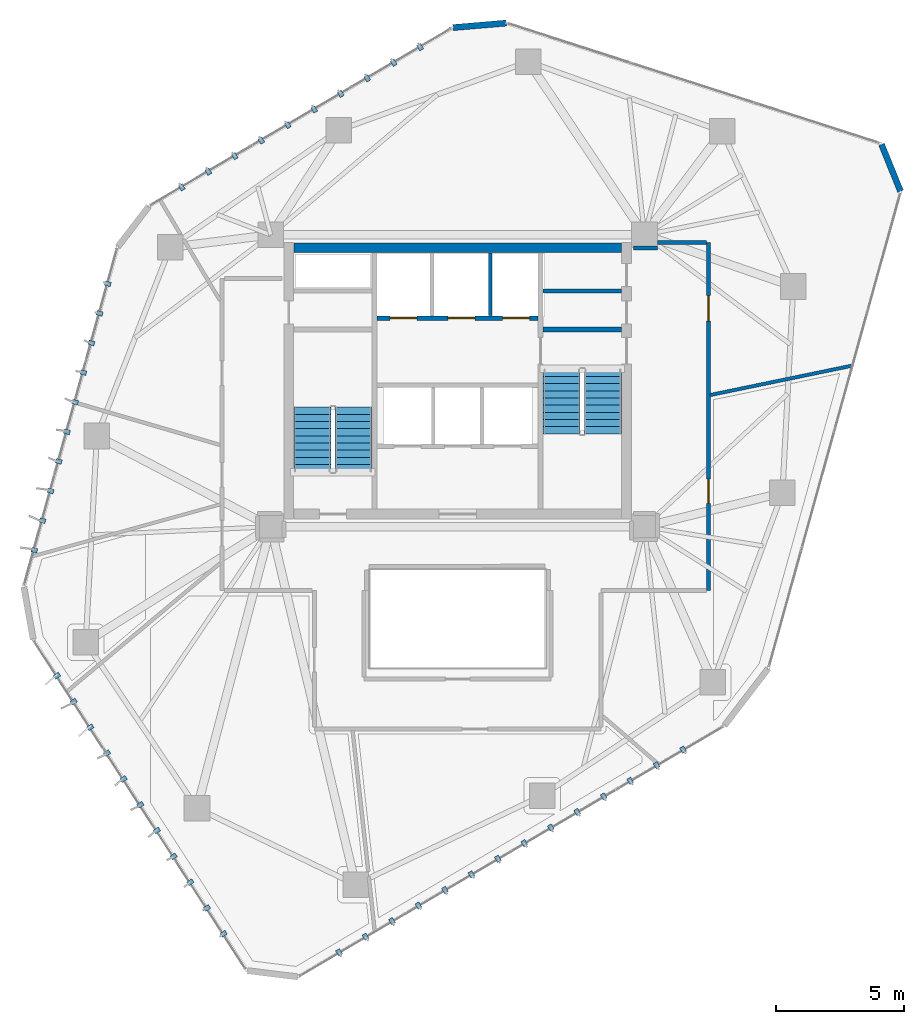
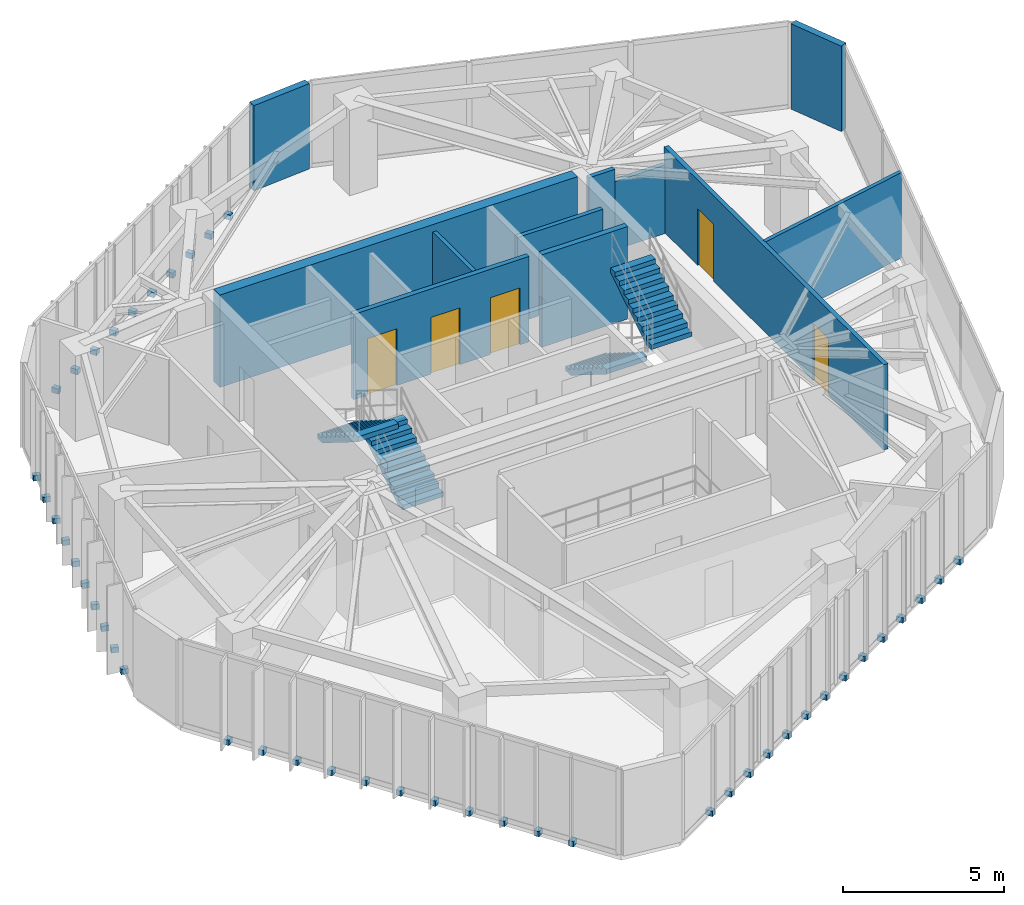
# One storey, part 17 of 19: 45 discrete accessories, 11 walls, 5 doors, 4 stair flights, 5 openings, 2 elements without a shape of their own.
"""IFC4 building model written with IfcOpenShell, lengths in metres."""

from ifc_helpers import new_model, si_unit, direction, frame, frame_2d, origin, origin_2d, place, context, subcontext, project, spatial, polyline, rectangle, outline, extrude, source, transform, mapped, material, layer, layer_set, type_object, type_shapes, element, fill, aggregate, save


model = new_model("IFC4")

# Units and contexts
model_context = context("Model", 3, precision=1e-05, world=origin(), true_north=direction((0.0, 1.0)))
body_context = subcontext(model_context, "Body", "Model", "MODEL_VIEW")
ifc_project = project(units=[si_unit("LENGTHUNIT", "METRE"), si_unit("AREAUNIT", "SQUARE_METRE"), si_unit("VOLUMEUNIT", "CUBIC_METRE"), si_unit("PLANEANGLEUNIT", "RADIAN"), si_unit("MASSUNIT", "GRAM", prefix="KILO")], contexts=[model_context])

# Site, building, storey
site_placement = place(None, origin())
site = spatial("IfcSite", under=ifc_project, at=site_placement, CompositionType="ELEMENT")
building_placement = place(site_placement, origin())
building = spatial("IfcBuilding", under=site, at=building_placement, Name="Talar Marvaseh", CompositionType="ELEMENT")
storey_placement = place(building_placement, frame((0.0, 0.0, 181.0)))
storey = spatial("IfcBuildingStorey", under=building, at=storey_placement, Name="L47", CompositionType="ELEMENT", Elevation=181.0)

# Walls
ifc_material_1 = material(Name="Precast concrete C45/55", Category="concrete")
ifc_layer_1 = layer(ifc_material_1, 0.239990234375)
ifc_layer_set_1 = layer_set([ifc_layer_1], Name="Precast concrete C45/55")
wall_type_1 = type_object("IfcWallType", Name="Chamfered Hexagonal Corner Pier Wall Z3 240", PredefinedType="SOLIDWALL", material=ifc_layer_set_1)
wall_1_placement = place(storey_placement, frame((25.818115234375, 44.998291015625, 0.0), z_axis=(0.0, 0.0, 1.0), x_axis=(0.996382650542, 0.084980078243, 0.0)))
element("IfcWall", 1, at=wall_1_placement, inside=storey, type_object=wall_type_1, Name="L47 Chamfered Corner Limestone Pier 4", PredefinedType="SOLIDWALL", context=body_context, shape_type="SweptSolid", body=[
    extrude(rectangle(XDim=2.088623046875, YDim=0.239990234375, at=frame_2d((1.04443359375, 0.0))), origin(), (0.0, 0.0, 1.0), 3.22998046875),
])
wall_2_placement = place(storey_placement, frame((42.560791015625, 40.4375, 0.0), z_axis=(0.0, 0.0, 1.0), x_axis=(0.375877020982, -0.926669555504, 0.0)))
element("IfcWall", 2, at=wall_2_placement, inside=storey, type_object=wall_type_1, Name="L47 Chamfered Corner Limestone Pier 5", PredefinedType="SOLIDWALL", context=body_context, shape_type="SweptSolid", body=[
    extrude(rectangle(XDim=1.977783203125, YDim=0.239990234375, at=frame_2d((0.98876953125, 0.0))), origin(), (0.0, 0.0, 1.0), 3.22998046875),
])
ifc_material_2 = material(Name="Gypsum Board Partition Assembly")
ifc_layer_2 = layer(ifc_material_2, 0.155029296875)
ifc_layer_set_2 = layer_set([ifc_layer_2], Name="Gypsum Board Partition Assembly")
wall_type_2 = type_object("IfcWallType", Name="Corridor Fire-Rated Acoustic Partition 155", PredefinedType="PARTITIONING", material=ifc_layer_set_2)
wall_3_placement = place(storey_placement, frame((29.340087890625, 34.699951171875, 0.0), z_axis=(0.0, 0.0, 1.0), x_axis=(1.0, 0.0, 0.0)))
element("IfcWall", 3, at=wall_3_placement, inside=storey, type_object=wall_type_2, Name="L47 Core BOH Partition", PredefinedType="PARTITIONING", context=body_context, shape_type="SweptSolid", body=[
    extrude(rectangle(XDim=3.059814453125, YDim=0.155029296875, at=frame_2d((1.52978515625, 0.0))), origin(), (0.0, 0.0, 1.0), 3.22998046875),
])

# Wall, openings, doors
wall_4_placement = place(storey_placement, frame((35.800048828125, 36.60009765625, 0.0), z_axis=(0.0, 0.0, 1.0), x_axis=(0.0, -1.0, 0.0)))
wall_4 = element("IfcWall", 4, at=wall_4_placement, inside=storey, type_object=wall_type_2, Name="L47 Interior Partition Wall", PredefinedType="PARTITIONING", context=body_context, shape_type="SweptSolid", body=[
    extrude(rectangle(XDim=13.60009765625, YDim=0.155029296875, at=frame_2d((6.800048828125, 0.0))), origin(), (0.0, 0.0, 1.0), 3.22998046875),
])
opening_1_placement = place(wall_4_placement, frame((9.24072265625, 0.0, 0.0)))
opening_1 = element("IfcOpeningElement", 5, at=opening_1_placement, cuts=wall_4, Name="Opening DR-WC095", PredefinedType="OPENING", context=body_context, shape_type="SweptSolid", body=[
    extrude(rectangle(XDim=0.949951171875, YDim=2.14990234375, at=frame_2d((0.47509765625, 1.074951171875))), frame((0.0, 0.08740234375, 0.0), z_axis=(0.0, -1.0, 0.0), x_axis=(1.0, 0.0, 0.0)), (0.0, 0.0, 1.0), 0.175048828125),
])
opening_2_placement = place(wall_4_placement, frame((2.068115234375, 0.0, 0.0)))
opening_2 = element("IfcOpeningElement", 6, at=opening_2_placement, cuts=wall_4, Name="Opening DR-RM100", PredefinedType="OPENING", context=body_context, shape_type="SweptSolid", body=[
    extrude(rectangle(XDim=1.0, YDim=2.14990234375, at=frame_2d((0.5, 1.074951171875))), frame((0.0, 0.08740234375, 0.0), z_axis=(0.0, -1.0, 0.0), x_axis=(1.0, 0.0, 0.0)), (0.0, 0.0, 1.0), 0.175048828125),
])
ifc_material_3 = material(Name="Acoustic Engineered Oak Timber", Category="wood")
door_type_1 = type_object("IfcDoorType", Name="Washroom and Service Room Door 950x2150", OperationType="NOTDEFINED", PredefinedType="DOOR", material=ifc_material_3)
shared_shape_1 = source(origin(), body_context, "Body", "SweptSolid", [
    extrude(rectangle(XDim=0.949951171875, YDim=2.14990234375, at=frame_2d((0.47509765625, 1.074951171875))), frame((0.0, 0.02490234375, 0.0), z_axis=(0.0, -1.0, 0.0), x_axis=(1.0, 0.0, 0.0)), (0.0, 0.0, 1.0), 0.050048828125),
])
type_shapes(door_type_1, [shared_shape_1])
door_1_placement = place(opening_1_placement, origin())
door_1 = element("IfcDoor", 7, at=door_1_placement, inside=storey, type_object=door_type_1, Name="L47 Collection Conservation Store Door", OperationType="SINGLE_SWING_LEFT", OverallHeight=2.14990234375, OverallWidth=0.949951171875, PredefinedType="DOOR", context=body_context, shape_type="MappedRepresentation", body=[
    mapped(shared_shape_1, transform((0.0, 0.0, 0.0), x_axis=(1.0, 0.0, 0.0), y_axis=(0.0, 1.0, 0.0), z_axis=(0.0, 0.0, 1.0), scale=1.0)),
])
fill(opening_1, door_1)
door_type_2 = type_object("IfcDoorType", Name="Corridor Fire-Rated Gallery Door 1000x2150", OperationType="NOTDEFINED", PredefinedType="DOOR", material=ifc_material_3)
shared_shape_2 = source(origin(), body_context, "Body", "SweptSolid", [
    extrude(rectangle(XDim=1.0, YDim=2.14990234375, at=frame_2d((0.5, 1.074951171875))), frame((0.0, 0.02490234375, 0.0), z_axis=(0.0, -1.0, 0.0), x_axis=(1.0, 0.0, 0.0)), (0.0, 0.0, 1.0), 0.050048828125),
])
type_shapes(door_type_2, [shared_shape_2])
door_2_placement = place(opening_2_placement, origin())
door_2 = element("IfcDoor", 8, at=door_2_placement, inside=storey, type_object=door_type_2, Name="L47 Conservation Briefing Room Door", OperationType="SINGLE_SWING_RIGHT", OverallHeight=2.14990234375, OverallWidth=1.0, PredefinedType="DOOR", context=body_context, shape_type="MappedRepresentation", body=[
    mapped(shared_shape_2, transform((0.0, 0.0, 0.0), x_axis=(1.0, 0.0, 0.0), y_axis=(0.0, 1.0, 0.0), z_axis=(0.0, 0.0, 1.0), scale=1.0)),
])
fill(opening_2, door_2)

# Walls
wall_5_placement = place(storey_placement, frame((32.8701171875, 36.385009765625, 0.0), z_axis=(0.0, 0.0, 1.0), x_axis=(0.999999965754, 0.000261711585, 0.0)))
element("IfcWall", 9, at=wall_5_placement, inside=storey, type_object=wall_type_2, Name="L47 Interior Partition Wall", PredefinedType="PARTITIONING", context=body_context, shape_type="SweptSolid", body=[
    extrude(rectangle(XDim=0.932861328125, YDim=0.155029296875, at=frame_2d((0.46630859375, 0.0))), origin(), (0.0, 0.0, 1.0), 3.22998046875),
])
wall_6_placement = place(storey_placement, frame((33.81494140625, 36.60009765625, 0.0), z_axis=(0.0, 0.0, 1.0), x_axis=(1.0, 0.0, 0.0)))
element("IfcWall", 10, at=wall_6_placement, inside=storey, type_object=wall_type_2, Name="L47 Interior Partition Wall", PredefinedType="PARTITIONING", context=body_context, shape_type="SweptSolid", body=[
    extrude(rectangle(XDim=1.901611328125, YDim=0.155029296875, at=frame_2d((0.95068359375, 0.0))), origin(), (0.0, 0.0, 1.0), 2.589111328125),
])
ifc_layer_3 = layer(ifc_material_1, 0.14501953125)
ifc_layer_set_3 = layer_set([ifc_layer_3], Name="Precast concrete C45/55")
wall_type_3 = type_object("IfcWallType", Name="Fire-Rated Lift Divider Wall 145", PredefinedType="SOLIDWALL", material=ifc_layer_set_3)
wall_7_placement = place(storey_placement, frame((27.280029296875, 33.743408203125, 0.0), z_axis=(0.0, 0.0, 1.0), x_axis=(0.0, 1.0, 0.0)))
element("IfcWall", 11, at=wall_7_placement, inside=storey, type_object=wall_type_3, Name="L47 FFL-2/SVL-1 Divider", PredefinedType="SOLIDWALL", context=body_context, shape_type="SweptSolid", body=[
    extrude(rectangle(XDim=2.45654296875, YDim=0.14501953125, at=frame_2d((1.228271484375, 0.0))), origin(), (0.0, 0.0, 1.0), 3.22998046875),
])

# Wall, openings, doors
ifc_layer_4 = layer(ifc_material_1, 0.175048828125)
ifc_layer_set_4 = layer_set([ifc_layer_4], Name="Precast concrete C45/55")
wall_type_4 = type_object("IfcWallType", Name="Fire-Rated Lift Hoistway Enclosure Wall 175", PredefinedType="SOLIDWALL", material=ifc_layer_set_4)
wall_8_placement = place(storey_placement, frame((22.860107421875, 33.64990234375, 0.0), z_axis=(0.0, 0.0, 1.0), x_axis=(1.0, 0.0, 0.0)))
wall_8 = element("IfcWall", 12, at=wall_8_placement, inside=storey, type_object=wall_type_4, Name="L47 Firefighting and Service Lift Front Wall", PredefinedType="SOLIDWALL", context=body_context, shape_type="SweptSolid", body=[
    extrude(rectangle(XDim=6.27978515625, YDim=0.175048828125, at=frame_2d((3.139892578125, 0.0))), origin(), (0.0, 0.0, 1.0), 3.22998046875),
])
opening_3_placement = place(wall_8_placement, frame((0.5, 0.0, 0.0)))
opening_3 = element("IfcOpeningElement", 13, at=opening_3_placement, cuts=wall_8, Name="Opening LD-FF1", PredefinedType="OPENING", context=body_context, shape_type="SweptSolid", body=[
    extrude(rectangle(XDim=1.050048828125, YDim=2.14990234375, at=frame_2d((0.52490234375, 1.074951171875))), frame((0.0, 0.09765625, 0.0), z_axis=(0.0, -1.0, 0.0), x_axis=(1.0, 0.0, 0.0)), (0.0, 0.0, 1.0), 0.195068359375),
])
opening_4_placement = place(wall_8_placement, frame((2.760009765625, 0.0, 0.0)))
opening_4 = element("IfcOpeningElement", 14, at=opening_4_placement, cuts=wall_8, Name="Opening LD-FF2", PredefinedType="OPENING", context=body_context, shape_type="SweptSolid", body=[
    extrude(rectangle(XDim=1.050048828125, YDim=2.14990234375, at=frame_2d((0.52490234375, 1.074951171875))), frame((0.0, 0.09765625, 0.0), z_axis=(0.0, -1.0, 0.0), x_axis=(1.0, 0.0, 0.0)), (0.0, 0.0, 1.0), 0.195068359375),
])
opening_5_placement = place(wall_8_placement, frame((4.89990234375, 0.0, 0.0)))
opening_5 = element("IfcOpeningElement", 15, at=opening_5_placement, cuts=wall_8, Name="Opening LD-SV1", PredefinedType="OPENING", context=body_context, shape_type="SweptSolid", body=[
    extrude(rectangle(XDim=1.050048828125, YDim=2.14990234375, at=frame_2d((0.52490234375, 1.074951171875))), frame((0.0, 0.09765625, 0.0), z_axis=(0.0, -1.0, 0.0), x_axis=(1.0, 0.0, 0.0)), (0.0, 0.0, 1.0), 0.195068359375),
])
ifc_material_4 = material(Name="Stainless Steel Grade 316", Category="steel")
door_type_3 = type_object("IfcDoorType", Name="Automatic Sliding Lift Landing Door 1050x2150", OperationType="NOTDEFINED", PredefinedType="DOOR", material=ifc_material_4)
shared_shape_3 = source(origin(), body_context, "Body", "SweptSolid", [
    extrude(rectangle(XDim=1.050048828125, YDim=2.14990234375, at=frame_2d((0.52490234375, 1.074951171875))), frame((0.0, 0.02490234375, 0.0), z_axis=(0.0, -1.0, 0.0), x_axis=(1.0, 0.0, 0.0)), (0.0, 0.0, 1.0), 0.050048828125),
])
type_shapes(door_type_3, [shared_shape_3])
door_3_placement = place(opening_3_placement, origin())
door_3 = element("IfcDoor", 16, at=door_3_placement, inside=storey, type_object=door_type_3, Name="L47 Lift FFL-1 Sliding Landing Door", OperationType="SLIDING_TO_LEFT", OverallHeight=2.14990234375, OverallWidth=1.050048828125, PredefinedType="DOOR", context=body_context, shape_type="MappedRepresentation", body=[
    mapped(shared_shape_3, transform((0.0, 0.0, 0.0), x_axis=(1.0, 0.0, 0.0), y_axis=(0.0, 1.0, 0.0), z_axis=(0.0, 0.0, 1.0), scale=1.0)),
])
fill(opening_3, door_3)
door_4_placement = place(opening_4_placement, origin())
door_4 = element("IfcDoor", 17, at=door_4_placement, inside=storey, type_object=door_type_3, Name="L47 Lift FFL-2 Sliding Landing Door", OperationType="SLIDING_TO_LEFT", OverallHeight=2.14990234375, OverallWidth=1.050048828125, PredefinedType="DOOR", context=body_context, shape_type="MappedRepresentation", body=[
    mapped(shared_shape_3, transform((0.0, 0.0, 0.0), x_axis=(1.0, 0.0, 0.0), y_axis=(0.0, 1.0, 0.0), z_axis=(0.0, 0.0, 1.0), scale=1.0)),
])
fill(opening_4, door_4)
door_5_placement = place(opening_5_placement, origin())
door_5 = element("IfcDoor", 18, at=door_5_placement, inside=storey, type_object=door_type_3, Name="L47 Lift SVL-1 Sliding Landing Door", OperationType="SLIDING_TO_LEFT", OverallHeight=2.14990234375, OverallWidth=1.050048828125, PredefinedType="DOOR", context=body_context, shape_type="MappedRepresentation", body=[
    mapped(shared_shape_3, transform((0.0, 0.0, 0.0), x_axis=(1.0, 0.0, 0.0), y_axis=(0.0, 1.0, 0.0), z_axis=(0.0, 0.0, 1.0), scale=1.0)),
])
fill(opening_5, door_5)

# Walls
ifc_layer_5 = layer(ifc_material_2, 0.135009765625)
ifc_layer_set_5 = layer_set([ifc_layer_5], Name="Gypsum Board Partition Assembly")
wall_type_5 = type_object("IfcWallType", Name="Gallery High-Acoustic Partition 135", PredefinedType="PARTITIONING", material=ifc_layer_set_5)
wall_9_placement = place(storey_placement, frame((35.86376953125, 30.643310546875, 0.0), z_axis=(0.0, 0.0, 1.0), x_axis=(0.979243880098, 0.202685528074, 0.0)))
element("IfcWall", 19, at=wall_9_placement, inside=storey, type_object=wall_type_5, Name="L47 Interior Partition Wall", PredefinedType="PARTITIONING", context=body_context, shape_type="SweptSolid", body=[
    extrude(rectangle(XDim=5.656494140625, YDim=0.135009765625, at=frame_2d((2.828125, 0.0))), origin(), (0.0, 0.0, 1.0), 3.22998046875),
])
ifc_material_5 = material(Name="Concrete C60/75", Category="concrete")
ifc_layer_6 = layer(ifc_material_5, 0.3798828125)
ifc_layer_set_6 = layer_set([ifc_layer_6], Name="Concrete C60/75")
wall_type_6 = type_object("IfcWallType", Name="Mid Core Reinforced Concrete Shear Wall 380", PredefinedType="SHEAR", material=ifc_layer_set_6)
wall_10_placement = place(storey_placement, frame((19.60009765625, 36.39990234375, 0.0), z_axis=(0.0, 0.0, 1.0), x_axis=(1.0, 0.0, 0.0)))
element("IfcWall", 20, at=wall_10_placement, inside=storey, type_object=wall_type_6, Name="L47 North Core Shear Wall", PredefinedType="SHEAR", context=body_context, shape_type="SweptSolid", body=[
    extrude(rectangle(XDim=12.7998046875, YDim=0.3798828125, at=frame_2d((6.39990234375, 0.0))), origin(), (0.0, 0.0, 1.0), 3.5),
])
ifc_material_6 = material(Name="Concrete C50/60", Category="concrete")
ifc_layer_7 = layer(ifc_material_6, 0.199951171875)
ifc_layer_set_7 = layer_set([ifc_layer_7], Name="Concrete C50/60")
wall_type_7 = type_object("IfcWallType", Name="Stair Shaft Structural Concrete Shear Wall 200", PredefinedType="SHEAR", material=ifc_layer_set_7)
wall_11_placement = place(storey_placement, frame((29.340087890625, 33.199951171875, 0.0), z_axis=(0.0, 0.0, 1.0), x_axis=(1.0, 0.0, 0.0)))
element("IfcWall", 21, at=wall_11_placement, inside=storey, type_object=wall_type_7, Name="L47 Stair ST-2 North Shear Wall", PredefinedType="SHEAR", context=body_context, shape_type="SweptSolid", body=[
    extrude(rectangle(XDim=3.059814453125, YDim=0.199951171875, at=frame_2d((1.52978515625, 0.0))), origin(), (0.0, 0.0, 1.0), 3.5),
])

# Stair, stair flights
ifc_material_7 = material(Name="Concrete C40/50", Category="concrete")
stair_type = type_object("IfcStairType", Name="Reinforced Concrete High-Rise Exit Stair Type C", PredefinedType="HALF_TURN_STAIR", material=ifc_material_7)
stair_1_placement = place(storey_placement, origin())
stair_1 = element("IfcStair", 22, at=stair_1_placement, inside=storey, type_object=stair_type, Name="L47 Tower West Core Exit Stair", PredefinedType="HALF_TURN_STAIR")
ifc_layer_8 = layer(ifc_material_7, 0.159912109375)
ifc_layer_set_8 = layer_set([ifc_layer_8], Name="Concrete C40/50")
stair_flight_type = type_object("IfcStairFlightType", Name="Reinforced Concrete Straight Stair Flight 160", PredefinedType="STRAIGHT", material=ifc_layer_set_8)
stair_flight_1_placement = place(storey_placement, frame((21.93505859375, 27.64990234375, 0.0), z_axis=(0.0, 0.0, 1.0), x_axis=(0.0, 1.0, 0.0)))
stair_flight_1 = element("IfcStairFlight", 23, at=stair_flight_1_placement, type_object=stair_flight_type, Name="ST-1 flight 1", NumberOfRisers=10, NumberOfTreads=9, PredefinedType="STRAIGHT", RiserHeight=0.175, TreadLength=0.28, context=body_context, shape_type="SweptSolid", body=[
    extrude(outline(polyline([(0.0, 0.0), (0.0, 0.175048828125), (0.280029296875, 0.175048828125), (0.280029296875, 0.35009765625), (0.56005859375, 0.35009765625), (0.56005859375, 0.52490234375), (0.840087890625, 0.52490234375), (0.840087890625, 0.699951171875), (1.1201171875, 0.699951171875), (1.1201171875, 0.875), (1.39990234375, 0.875), (1.39990234375, 1.050048828125), (1.679931640625, 1.050048828125), (1.679931640625, 1.22509765625), (1.9599609375, 1.22509765625), (1.9599609375, 1.39990234375), (2.239990234375, 1.39990234375), (2.239990234375, 1.574951171875), (2.52001953125, 1.574951171875), (2.52001953125, 1.75), (2.52001953125, 1.386474609375), (0.3017578125, 0.0), (0.0, 0.0)])), frame((0.0, 0.72509765625, 0.0), z_axis=(0.0, -1.0, 0.0), x_axis=(1.0, 0.0, 0.0)), (0.0, 0.0, 1.0), 1.449951171875),
])
stair_flight_2_placement = place(storey_placement, frame((20.324951171875, 30.169921875, 1.75), z_axis=(0.0, 0.0, 1.0), x_axis=(0.0, -1.0, 0.0)))
stair_flight_2 = element("IfcStairFlight", 24, at=stair_flight_2_placement, type_object=stair_flight_type, Name="ST-1 flight 2", NumberOfRisers=10, NumberOfTreads=9, PredefinedType="STRAIGHT", RiserHeight=0.175, TreadLength=0.28, context=body_context, shape_type="SweptSolid", body=[
    extrude(outline(polyline([(0.0, 0.0), (0.0, 0.175048828125), (0.280029296875, 0.175048828125), (0.280029296875, 0.35009765625), (0.56005859375, 0.35009765625), (0.56005859375, 0.52490234375), (0.840087890625, 0.52490234375), (0.840087890625, 0.699951171875), (1.1201171875, 0.699951171875), (1.1201171875, 0.875), (1.39990234375, 0.875), (1.39990234375, 1.050048828125), (1.679931640625, 1.050048828125), (1.679931640625, 1.22509765625), (1.9599609375, 1.22509765625), (1.9599609375, 1.39990234375), (2.239990234375, 1.39990234375), (2.239990234375, 1.574951171875), (2.52001953125, 1.574951171875), (2.52001953125, 1.75), (2.52001953125, 1.386474609375), (0.3017578125, 0.0), (0.0, 0.0)])), frame((0.0, 0.72509765625, 0.0), z_axis=(0.0, -1.0, 0.0), x_axis=(1.0, 0.0, 0.0)), (0.0, 0.0, 1.0), 1.449951171875),
])
aggregate(stair_1, [stair_flight_1, stair_flight_2])

stair_2_placement = place(storey_placement, origin())
stair_2 = element("IfcStair", 25, at=stair_2_placement, inside=storey, type_object=stair_type, Name="L47 Tower East Core Exit Stair", PredefinedType="HALF_TURN_STAIR")
stair_flight_3_placement = place(storey_placement, frame((30.06494140625, 31.64990234375, 0.0), z_axis=(0.0, 0.0, 1.0), x_axis=(0.0, -1.0, 0.0)))
stair_flight_3 = element("IfcStairFlight", 26, at=stair_flight_3_placement, type_object=stair_flight_type, Name="ST-2 flight 1", NumberOfRisers=10, NumberOfTreads=9, PredefinedType="STRAIGHT", RiserHeight=0.175, TreadLength=0.28, context=body_context, shape_type="SweptSolid", body=[
    extrude(outline(polyline([(0.0, 0.0), (0.0, 0.175048828125), (0.280029296875, 0.175048828125), (0.280029296875, 0.35009765625), (0.56005859375, 0.35009765625), (0.56005859375, 0.52490234375), (0.840087890625, 0.52490234375), (0.840087890625, 0.699951171875), (1.1201171875, 0.699951171875), (1.1201171875, 0.875), (1.39990234375, 0.875), (1.39990234375, 1.050048828125), (1.679931640625, 1.050048828125), (1.679931640625, 1.22509765625), (1.9599609375, 1.22509765625), (1.9599609375, 1.39990234375), (2.239990234375, 1.39990234375), (2.239990234375, 1.574951171875), (2.52001953125, 1.574951171875), (2.52001953125, 1.75), (2.52001953125, 1.386474609375), (0.3017578125, 0.0), (0.0, 0.0)])), frame((0.0, 0.72509765625, 0.0), z_axis=(0.0, -1.0, 0.0), x_axis=(1.0, 0.0, 0.0)), (0.0, 0.0, 1.0), 1.449951171875),
])
stair_flight_4_placement = place(storey_placement, frame((31.675048828125, 29.1298828125, 1.75), z_axis=(0.0, 0.0, 1.0), x_axis=(0.0, 1.0, 0.0)))
stair_flight_4 = element("IfcStairFlight", 27, at=stair_flight_4_placement, type_object=stair_flight_type, Name="ST-2 flight 2", NumberOfRisers=10, NumberOfTreads=9, PredefinedType="STRAIGHT", RiserHeight=0.175, TreadLength=0.28, context=body_context, shape_type="SweptSolid", body=[
    extrude(outline(polyline([(0.0, 0.0), (0.0, 0.175048828125), (0.280029296875, 0.175048828125), (0.280029296875, 0.35009765625), (0.56005859375, 0.35009765625), (0.56005859375, 0.52490234375), (0.840087890625, 0.52490234375), (0.840087890625, 0.699951171875), (1.1201171875, 0.699951171875), (1.1201171875, 0.875), (1.39990234375, 0.875), (1.39990234375, 1.050048828125), (1.679931640625, 1.050048828125), (1.679931640625, 1.22509765625), (1.9599609375, 1.22509765625), (1.9599609375, 1.39990234375), (2.239990234375, 1.39990234375), (2.239990234375, 1.574951171875), (2.52001953125, 1.574951171875), (2.52001953125, 1.75), (2.52001953125, 1.386474609375), (0.3017578125, 0.0), (0.0, 0.0)])), frame((0.0, 0.72509765625, 0.0), z_axis=(0.0, -1.0, 0.0), x_axis=(1.0, 0.0, 0.0)), (0.0, 0.0, 1.0), 1.449951171875),
])
aggregate(stair_2, [stair_flight_3, stair_flight_4])

# Discrete accessories
discrete_accessory_type = type_object("IfcDiscreteAccessoryType", Name="Stainless Slab-Edge Fin Mounting Bracket", PredefinedType="BRACKET", material=ifc_material_4)
shared_shape_4 = source(origin(), body_context, "Body", "SweptSolid", [
    extrude(rectangle(XDim=0.239990234375, YDim=0.179931640625, at=origin_2d()), origin(), (0.0, 0.0, 1.0), 0.199951171875),
])
type_shapes(discrete_accessory_type, [shared_shape_4])
for number, where, z_axis, x_axis, name in (
    (28, (16.85791015625, 9.595458984375, -0.18017578125), (0.0, 0.0, 1.0), (-0.840093553899, -0.542441536663, 0.0), "L47 Vertical Fin Slab-Edge Bracket"),
    (29, (16.206787109375, 10.603515625, -0.18017578125), (0.0, 0.0, 1.0), (-0.840093553899, -0.542441536663, 0.0), "L47 Vertical Fin Slab-Edge Bracket"),
    (30, (15.555908203125, 11.61181640625, -0.18017578125), (0.0, 0.0, 1.0), (-0.840093553899, -0.542441536663, 0.0), "L47 Vertical Fin Slab-Edge Bracket"),
    (31, (14.9052734375, 12.619873046875, -0.18017578125), (0.0, 0.0, 1.0), (-0.840093553899, -0.542441536663, 0.0), "L47 Vertical Fin Slab-Edge Bracket"),
    (32, (14.25439453125, 13.6279296875, -0.18017578125), (0.0, 0.0, 1.0), (-0.840093553899, -0.542441536663, 0.0), "L47 Vertical Fin Slab-Edge Bracket"),
    (33, (13.603515625, 14.63623046875, -0.18017578125), (0.0, 0.0, 1.0), (-0.840093553899, -0.542441536663, 0.0), "L47 Vertical Fin Slab-Edge Bracket"),
    (34, (12.95263671875, 15.644287109375, -0.18017578125), (0.0, 0.0, 1.0), (-0.840093553899, -0.542441536663, 0.0), "L47 Vertical Fin Slab-Edge Bracket"),
    (35, (12.3017578125, 16.652587890625, -0.18017578125), (0.0, 0.0, 1.0), (-0.840093553899, -0.542441536663, 0.0), "L47 Vertical Fin Slab-Edge Bracket"),
    (36, (11.65087890625, 17.66064453125, -0.18017578125), (0.0, 0.0, 1.0), (-0.840093553899, -0.542441536663, 0.0), "L47 Vertical Fin Slab-Edge Bracket"),
    (37, (11.0, 18.668701171875, -0.18017578125), (0.0, 0.0, 1.0), (-0.840093553899, -0.542441536663, 0.0), "L47 Vertical Fin Slab-Edge Bracket"),
    (38, (10.34912109375, 19.677001953125, -0.18017578125), (0.0, 0.0, 1.0), (-0.840093553899, -0.542441536663, 0.0), "L47 Vertical Fin Slab-Edge Bracket"),
    (39, (9.46142578125, 24.580810546875, -0.18017578125), (0.0, 0.0, 1.0), (-0.963956227226, 0.266060880235, 0.0), "L47 Vertical Fin Slab-Edge Bracket"),
    (40, (9.78076171875, 25.73779296875, -0.18017578125), (0.0, 0.0, 1.0), (-0.963956227226, 0.266060880235, 0.0), "L47 Vertical Fin Slab-Edge Bracket"),
    (41, (10.10009765625, 26.894287109375, -0.18017578125), (0.0, 0.0, 1.0), (-0.963956227226, 0.266060880235, 0.0), "L47 Vertical Fin Slab-Edge Bracket"),
    (42, (10.41943359375, 28.051025390625, -0.18017578125), (0.0, 0.0, 1.0), (-0.963956227226, 0.266060880235, 0.0), "L47 Vertical Fin Slab-Edge Bracket"),
    (43, (10.73876953125, 29.2080078125, -0.18017578125), (0.0, 0.0, 1.0), (-0.963956227226, 0.266060880235, 0.0), "L47 Vertical Fin Slab-Edge Bracket"),
    (44, (11.05810546875, 30.364501953125, -0.18017578125), (0.0, 0.0, 1.0), (-0.963956227226, 0.266060880235, 0.0), "L47 Vertical Fin Slab-Edge Bracket"),
    (45, (11.37744140625, 31.521240234375, -0.18017578125), (0.0, 0.0, 1.0), (-0.963956227226, 0.266060880235, 0.0), "L47 Vertical Fin Slab-Edge Bracket"),
    (46, (11.69677734375, 32.677978515625, -0.18017578125), (0.0, 0.0, 1.0), (-0.963956227226, 0.266060880235, 0.0), "L47 Vertical Fin Slab-Edge Bracket"),
    (47, (12.01611328125, 33.834716796875, -0.18017578125), (0.0, 0.0, 1.0), (-0.963956227226, 0.266060880235, 0.0), "L47 Vertical Fin Slab-Edge Bracket"),
    (48, (12.33544921875, 34.991455078125, -0.18017578125), (0.0, 0.0, 1.0), (-0.963956227226, 0.266060880235, 0.0), "L47 Vertical Fin Slab-Edge Bracket"),
    (49, (15.22705078125, 38.760009765625, -0.18017578125), (0.0, 0.0, 1.0), (-0.506485305836, 0.862248592329, 0.0), "L47 Vertical Fin Slab-Edge Bracket"),
    (50, (16.26171875, 39.367919921875, -0.18017578125), (0.0, 0.0, 1.0), (-0.506485305836, 0.862248592329, 0.0), "L47 Vertical Fin Slab-Edge Bracket"),
    (51, (17.29638671875, 39.9755859375, -0.18017578125), (0.0, 0.0, 1.0), (-0.506485305836, 0.862248592329, 0.0), "L47 Vertical Fin Slab-Edge Bracket"),
    (52, (18.3310546875, 40.58349609375, -0.18017578125), (0.0, 0.0, 1.0), (-0.506485305836, 0.862248592329, 0.0), "L47 Vertical Fin Slab-Edge Bracket"),
    (53, (19.36572265625, 41.19140625, -0.18017578125), (0.0, 0.0, 1.0), (-0.506485305836, 0.862248592329, 0.0), "L47 Vertical Fin Slab-Edge Bracket"),
    (54, (20.400390625, 41.799072265625, -0.18017578125), (0.0, 0.0, 1.0), (-0.506485305836, 0.862248592329, 0.0), "L47 Vertical Fin Slab-Edge Bracket"),
    (55, (21.43505859375, 42.406982421875, -0.18017578125), (0.0, 0.0, 1.0), (-0.506485305836, 0.862248592329, 0.0), "L47 Vertical Fin Slab-Edge Bracket"),
    (56, (22.4697265625, 43.014892578125, -0.18017578125), (0.0, 0.0, 1.0), (-0.506485305836, 0.862248592329, 0.0), "L47 Vertical Fin Slab-Edge Bracket"),
    (57, (23.50439453125, 43.62255859375, -0.18017578125), (0.0, 0.0, 1.0), (-0.506485305836, 0.862248592329, 0.0), "L47 Vertical Fin Slab-Edge Bracket"),
    (58, (24.5390625, 44.23046875, -0.18017578125), (0.0, 0.0, 1.0), (-0.506485305836, 0.862248592329, 0.0), "L47 Vertical Fin Slab-Edge Bracket"),
    (59, (34.808837890625, 16.792236328125, -0.18017578125), (0.0, 0.0, 1.0), (0.507688737887, -0.861540565163, 0.0), "L47 Vertical Fin Slab-Edge Bracket"),
    (60, (33.77490234375, 16.18310546875, -0.18017578125), (0.0, 0.0, 1.0), (0.507688737887, -0.861540565163, 0.0), "L47 Vertical Fin Slab-Edge Bracket"),
    (61, (32.7412109375, 15.573974609375, -0.18017578125), (0.0, 0.0, 1.0), (0.507688737887, -0.861540565163, 0.0), "L47 Vertical Fin Slab-Edge Bracket"),
    (62, (31.707275390625, 14.964599609375, -0.18017578125), (0.0, 0.0, 1.0), (0.507688737887, -0.861540565163, 0.0), "L47 Vertical Fin Slab-Edge Bracket"),
    (63, (30.67333984375, 14.35546875, -0.18017578125), (0.0, 0.0, 1.0), (0.507688737887, -0.861540565163, 0.0), "L47 Vertical Fin Slab-Edge Bracket"),
    (64, (29.639404296875, 13.746337890625, -0.18017578125), (0.0, 0.0, 1.0), (0.507688737887, -0.861540565163, 0.0), "L47 Vertical Fin Slab-Edge Bracket"),
    (65, (28.605712890625, 13.13720703125, -0.18017578125), (0.0, 0.0, 1.0), (0.507688737887, -0.861540565163, 0.0), "L47 Vertical Fin Slab-Edge Bracket"),
    (66, (27.57177734375, 12.52783203125, -0.18017578125), (0.0, 0.0, 1.0), (0.507688737887, -0.861540565163, 0.0), "L47 Vertical Fin Slab-Edge Bracket"),
    (67, (26.5380859375, 11.918701171875, -0.18017578125), (0.0, 0.0, 1.0), (0.507688737887, -0.861540565163, 0.0), "L47 Vertical Fin Slab-Edge Bracket"),
    (68, (25.504150390625, 11.3095703125, -0.18017578125), (0.0, 0.0, 1.0), (0.507688737887, -0.861540565163, 0.0), "L47 Vertical Fin Slab-Edge Bracket"),
    (69, (24.47021484375, 10.7001953125, -0.18017578125), (0.0, 0.0, 1.0), (0.507688737887, -0.861540565163, 0.0), "L47 Vertical Fin Slab-Edge Bracket"),
    (70, (23.436279296875, 10.091064453125, -0.18017578125), (0.0, 0.0, 1.0), (0.507688737887, -0.861540565163, 0.0), "L47 Vertical Fin Slab-Edge Bracket"),
    (71, (22.402587890625, 9.481689453125, -0.18017578125), (0.0, 0.0, 1.0), (0.507688737887, -0.861540565163, 0.0), "L47 Vertical Fin Slab-Edge Bracket"),
    (72, (21.36865234375, 8.87255859375, -0.18017578125), (0.0, 0.0, 1.0), (0.507688737887, -0.861540565163, 0.0), "L47 Vertical Fin Slab-Edge Bracket"),
):
    element("IfcDiscreteAccessory", number, at=place(storey_placement, frame(where, z_axis=z_axis, x_axis=x_axis)), inside=storey, type_object=discrete_accessory_type, Name=name, PredefinedType="BRACKET", context=body_context, shape_type="MappedRepresentation", body=[
        mapped(shared_shape_4, transform((0.0, 0.0, 0.0), x_axis=(1.0, 0.0, 0.0), y_axis=(0.0, 1.0, 0.0), z_axis=(0.0, 0.0, 1.0), scale=1.0)),
    ])

save(model, "model.ifc")
